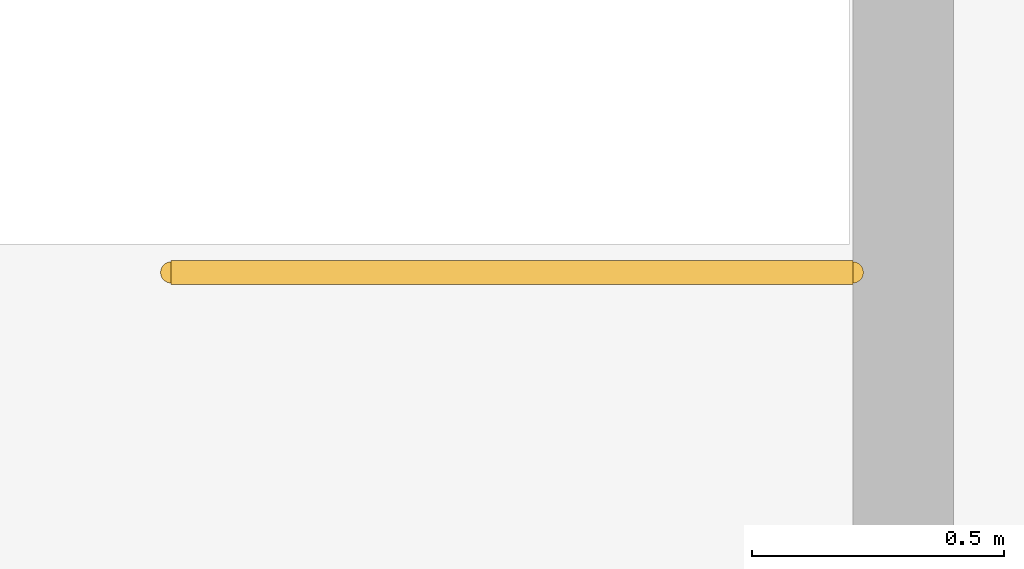
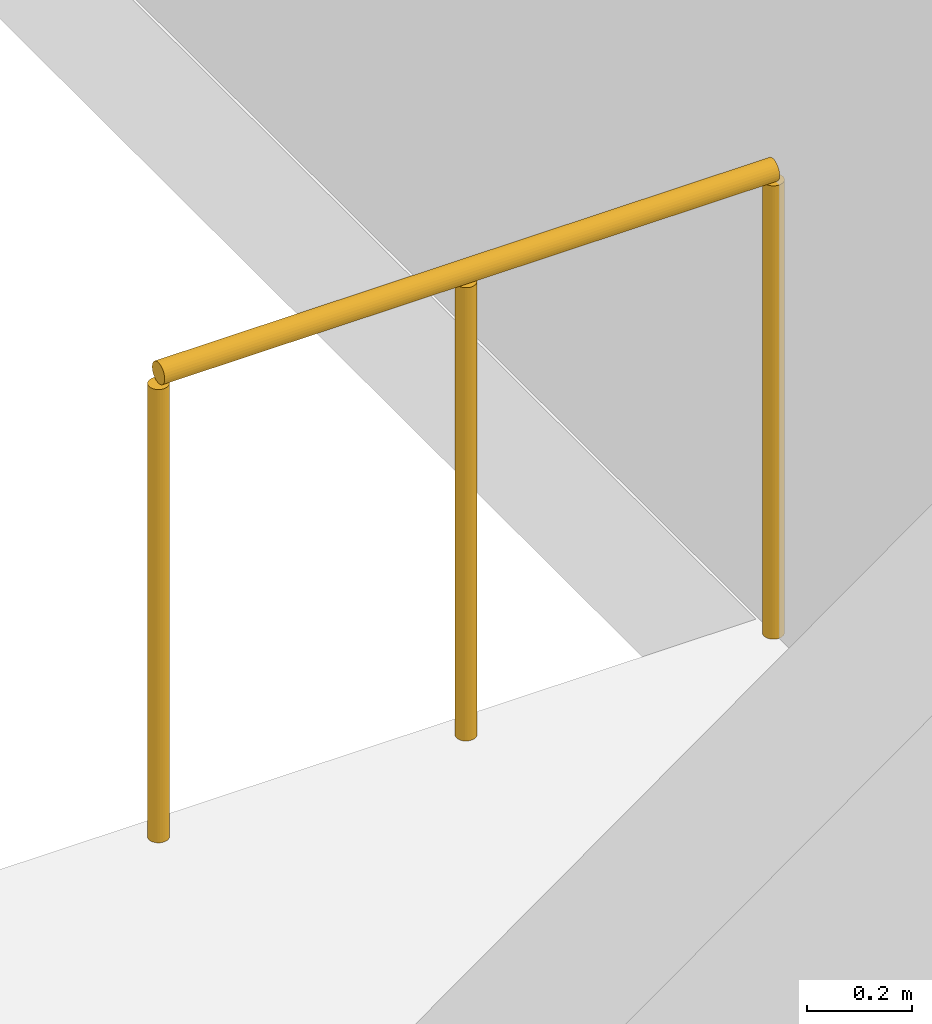
# One storey, part 20 of 21: 1 railing.
"""IFC4 building model written with IfcOpenShell, lengths in metres."""

from ifc_helpers import new_model, si_unit, direction, frame, origin, origin_2d, place, context, subcontext, project, spatial, circle, extrude, material, type_object, element, save


model = new_model("IFC4")

# Units and contexts
model_context = context("Model", 3, precision=1e-05, world=origin(), true_north=direction((0.0, 1.0)))
body_context = subcontext(model_context, "Body", "Model", "MODEL_VIEW")
ifc_project = project(units=[si_unit("LENGTHUNIT", "METRE"), si_unit("AREAUNIT", "SQUARE_METRE"), si_unit("VOLUMEUNIT", "CUBIC_METRE"), si_unit("PLANEANGLEUNIT", "RADIAN"), si_unit("MASSUNIT", "GRAM", prefix="KILO")], contexts=[model_context])

# Site, building, storey
site_placement = place(None, origin())
site = spatial("IfcSite", under=ifc_project, at=site_placement, CompositionType="ELEMENT")
building_placement = place(site_placement, origin())
building = spatial("IfcBuilding", under=site, at=building_placement, Name="Spindrift Exchange Tower", CompositionType="ELEMENT")
storey_placement = place(building_placement, frame((0.0, 0.0, 18.199951171875)))
storey = spatial("IfcBuildingStorey", under=building, at=storey_placement, Name="L04", CompositionType="ELEMENT", Elevation=18.199951171875)

# Railing
ifc_material = material(Name="Steel balustrade", Category="steel")
railing_type = type_object("IfcRailingType", Name="RL-STAIR-GUARD", PredefinedType="GUARDRAIL", material=ifc_material)
railing_placement = place(storey_placement, frame((87.10009765625, 45.89990234375, 0.0)))
element("IfcRailing", 1, at=railing_placement, inside=storey, type_object=railing_type, Name="L04 ST5 top well guard 1", PredefinedType="GUARDRAIL", context=body_context, shape_type="SweptSolid", body=[
    extrude(circle(Radius=0.02392578125, at=origin_2d()), frame((0.0, 0.0, 1.076171875), z_axis=(-1.0, 0.0, 0.0), x_axis=(0.0, -1.0, 0.0)), (0.0, 0.0, 1.0), 1.35009765625),
    extrude(circle(Radius=0.02099609375, at=origin_2d()), origin(), (0.0, 0.0, 1.0), 1.052001953125),
    extrude(circle(Radius=0.02099609375, at=origin_2d()), frame((-0.675048828125, 0.0, 0.0)), (0.0, 0.0, 1.0), 1.052001953125),
    extrude(circle(Radius=0.02099609375, at=origin_2d()), frame((-1.35009765625, 0.0, 0.0)), (0.0, 0.0, 1.0), 1.052001953125),
])

save(model, "model.ifc")
